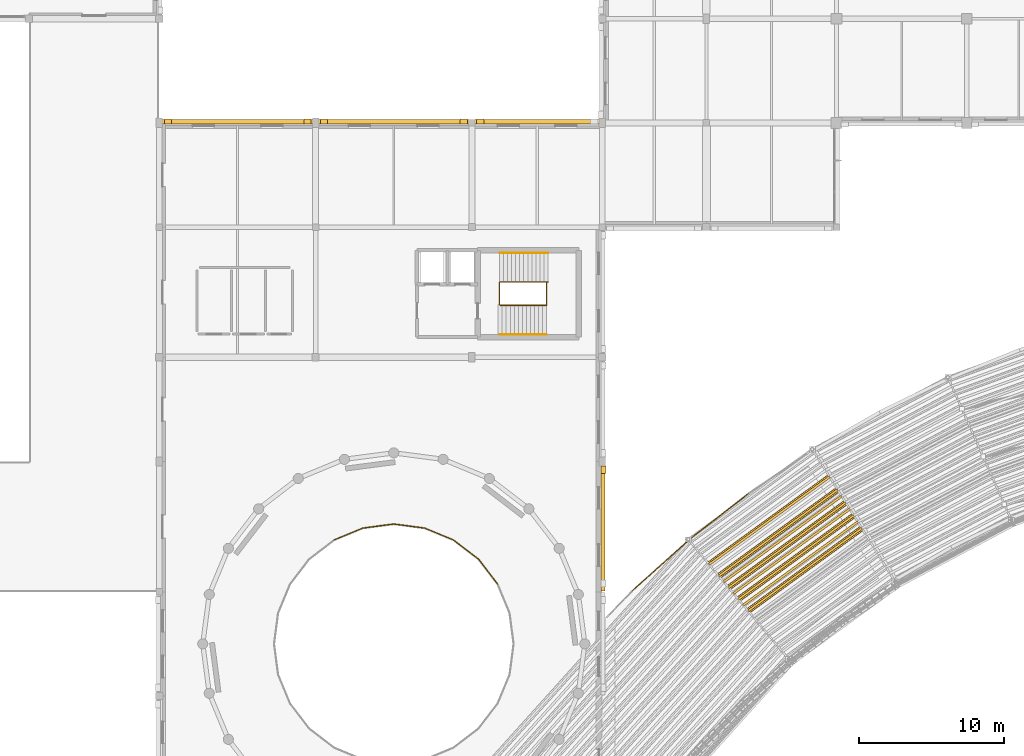
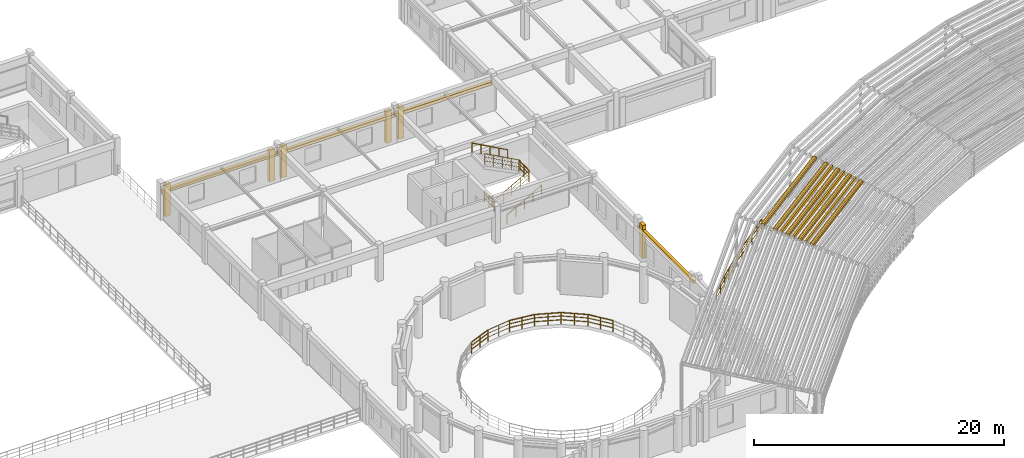
# One storey, part 69 of 74: 15 coverings, 14 railings, 13 shading devices.
"""IFC4 building model written with IfcOpenShell, lengths in metres."""

import ifcopenshell
import ifcopenshell.guid

model = None  # the IFC model being written
_history = None  # IfcOwnerHistory: only IFC2X3 demands one
_inside = {}  # id of a spatial element -> (the spatial element, [elements in it])
_under = {}  # id of a project, library or spatial element -> (it, [spatial elements below it])
_declared = {}  # id of a project -> (the project, [libraries it declares])
_typed = {}  # id of a type object -> (the type object, [elements of that type])
_made_of = {}  # id of a material, layer set ... -> (it, [elements and type objects made of it])


def new_model(schema):
    """Start an empty IFC model of exactly this schema.

    Asked for "IFC4X3", IfcOpenShell would pick the latest addendum, in which some entities
    have other attributes; the version numbers below select the first issue.
    IFC2X3 requires an IfcOwnerHistory on every rooted entity: one is made here for all.
    """
    global model, _history
    if schema == "IFC4X3":
        model = ifcopenshell.file(schema_version=(4, 3, 0, 0))
    else:
        model = ifcopenshell.file(schema=schema)
    _inside.clear()
    _under.clear()
    _declared.clear()
    _typed.clear()
    _made_of.clear()
    _history = None
    if model.schema == "IFC2X3":
        org = make("IfcOrganization", Name="unknown")
        user = make(
            "IfcPersonAndOrganization",
            ThePerson=make("IfcPerson", FamilyName="unknown"),
            TheOrganization=org,
        )
        app = make(
            "IfcApplication",
            ApplicationDeveloper=org,
            Version="unknown",
            ApplicationFullName="unknown",
            ApplicationIdentifier="unknown",
        )
        _history = make(
            "IfcOwnerHistory",
            OwningUser=user,
            OwningApplication=app,
            ChangeAction="ADDED",
            CreationDate=0,
        )
    return model


def make(cls, **values):
    """One entity of the class cls with the attributes given. An attribute that is None is left unset."""
    return model.create_entity(
        cls, **{name: value for name, value in values.items() if value is not None}
    )


def rooted(cls, **values):
    """An entity with a GlobalId (a new one), such as an element, a storey or a relation."""
    return make(cls, GlobalId=ifcopenshell.guid.new(), OwnerHistory=_history, **values)


def si_unit(unit_type, name, prefix=None):
    """IfcSIUnit, for example si_unit("LENGTHUNIT", "METRE", prefix="MILLI")."""
    return make("IfcSIUnit", UnitType=unit_type, Prefix=prefix, Name=name)


def assignment(units):
    """IfcUnitAssignment: the units of a project."""
    return None if units is None else make("IfcUnitAssignment", Units=units)


def point(xyz):
    """IfcCartesianPoint."""
    return None if xyz is None else make("IfcCartesianPoint", Coordinates=xyz)


def direction(xyz):
    """IfcDirection."""
    return None if xyz is None else make("IfcDirection", DirectionRatios=xyz)


def frame(location, z_axis=None, x_axis=None):
    """IfcAxis2Placement3D, a coordinate frame: its origin and axes. An axis left out is left unset."""
    return make(
        "IfcAxis2Placement3D",
        Location=point(location),
        Axis=direction(z_axis),
        RefDirection=direction(x_axis),
    )


def frame_2d(location, x_axis=None):
    """IfcAxis2Placement2D, a coordinate frame in the plane: its origin and x axis."""
    return make(
        "IfcAxis2Placement2D", Location=point(location), RefDirection=direction(x_axis)
    )


def origin():
    """The frame at (0, 0, 0) with its axes left unset."""
    return frame((0.0, 0.0, 0.0))


def origin_2d():
    """The frame at (0, 0) in the plane with its x axis left unset."""
    return frame_2d((0.0, 0.0))


def place(relative_to, where):
    """IfcLocalPlacement: puts the frame where relative to a parent placement (None: the world)."""
    return make(
        "IfcLocalPlacement", PlacementRelTo=relative_to, RelativePlacement=where
    )


def context(
    kind, dimensions, precision=None, world=None, true_north=None, identifier=None
):
    """IfcGeometricRepresentationContext, for example the 3D "Model" context."""
    return make(
        "IfcGeometricRepresentationContext",
        ContextIdentifier=identifier,
        ContextType=kind,
        CoordinateSpaceDimension=dimensions,
        Precision=precision,
        WorldCoordinateSystem=world,
        TrueNorth=true_north,
    )


def subcontext(parent, identifier, kind, view, scale=None):
    """IfcGeometricRepresentationSubContext, for example "Body" below "Model"."""
    return make(
        "IfcGeometricRepresentationSubContext",
        ContextIdentifier=identifier,
        ContextType=kind,
        ParentContext=parent,
        TargetScale=scale,
        TargetView=view,
    )


def project(units=None, contexts=None):
    """IfcProject with its units and contexts."""
    return rooted(
        "IfcProject",
        Name="project",
        RepresentationContexts=contexts,
        UnitsInContext=assignment(units),
    )


def spatial(cls, under=None, at=None, **own):
    """A site, building, storey or space (cls), placed at a placement, below another one or the project."""
    s = rooted(cls, ObjectPlacement=at, **own)
    if under is not None:
        _under.setdefault(under.id(), (under, []))[1].append(s)
    return s


def profile(cls, at=None, kind="AREA", **sizes):
    """A parametric profile (cls). Its sizes go by their IFC names, for example OverallWidth=200.0."""
    return make(cls, ProfileType=kind, Position=at, **sizes)


def rectangle(**sizes):
    """IfcRectangleProfileDef."""
    return profile("IfcRectangleProfileDef", **sizes)


def circle(**sizes):
    """IfcCircleProfileDef."""
    return profile("IfcCircleProfileDef", **sizes)


def extrude(swept, where, along, depth):
    """IfcExtrudedAreaSolid: the profile swept, set in the frame where, extruded along a direction by depth."""
    return make(
        "IfcExtrudedAreaSolid",
        SweptArea=swept,
        Position=where,
        ExtrudedDirection=direction(along),
        Depth=depth,
    )


def shape(context_of_items, identifier, shape_type, items):
    """IfcShapeRepresentation: the items that make up one representation, for example the "Body"."""
    return make(
        "IfcShapeRepresentation",
        ContextOfItems=context_of_items,
        RepresentationIdentifier=identifier,
        RepresentationType=shape_type,
        Items=items,
    )


def material(Name=None, Category=None):
    """IfcMaterial."""
    return make("IfcMaterial", Name=Name, Category=Category)


def layer(
    of_material, thickness, ventilated=None, Name=None, Category=None, Priority=None
):
    """IfcMaterialLayer: one layer of a wall or slab, of a material (None: an air gap)."""
    return make(
        "IfcMaterialLayer",
        Material=of_material,
        LayerThickness=thickness,
        IsVentilated=ventilated,
        Name=Name,
        Category=Category,
        Priority=Priority,
    )


def layer_set(layers, Name=None):
    """IfcMaterialLayerSet."""
    return make("IfcMaterialLayerSet", MaterialLayers=layers, LayerSetName=Name)


def made_of(thing, what):
    """Note that an element or type object is made of a material, layer set ...; save() writes the relation."""
    if what is not None:
        _made_of.setdefault(what.id(), (what, []))[1].append(thing)
    return thing


def type_object(cls, material=None, **own):
    """A type object (cls), such as IfcWallType, which elements share."""
    return made_of(rooted(cls, **own), material)


def element(
    cls,
    number,
    at=None,
    inside=None,
    cuts=None,
    type_object=None,
    material=None,
    context=None,
    identifier="Body",
    shape_type=None,
    held_by="IfcProductDefinitionShape",
    body=None,
    shapes=None,
    **own,
):
    """One element of the class cls, such as IfcWall. Its Tag is "e" and its number.

    at: its placement. inside: the storey or other place that contains it. cuts: it is an
    opening in that element (IfcRelVoidsElement). A single representation is given by context,
    identifier, shape_type and body (its items); several are given by shapes. held_by: the class
    of the entity that holds the representations. save() writes the other relations.
    """
    e = rooted(cls, Tag="e%d" % number, ObjectPlacement=at, **own)
    if body is not None:
        shapes = [shape(context, identifier, shape_type, body)]
    if shapes is not None:
        e.Representation = make(held_by, Representations=shapes)
    if inside is not None:
        _inside.setdefault(inside.id(), (inside, []))[1].append(e)
    if cuts is not None:
        rooted(
            "IfcRelVoidsElement", RelatingBuildingElement=cuts, RelatedOpeningElement=e
        )
    if type_object is not None:
        _typed.setdefault(type_object.id(), (type_object, []))[1].append(e)
    return made_of(e, material)


def aggregate(whole, parts):
    """IfcRelAggregates: a whole, such as a stair, and the parts it consists of."""
    return rooted("IfcRelAggregates", RelatingObject=whole, RelatedObjects=parts)


def save(model, path):
    """Write the relations noted so far, then the file.

    IfcRelAggregates (storeys below a building ...), IfcRelContainedInSpatialStructure (elements
    in a storey), IfcRelDefinesByType, IfcRelAssociatesMaterial and IfcRelDeclares: one each for
    every whole, place, type object, material and project.
    """
    for whole, parts in _under.values():
        aggregate(whole, parts)
    for where, things in _inside.values():
        rooted(
            "IfcRelContainedInSpatialStructure",
            RelatedElements=things,
            RelatingStructure=where,
        )
    for kind, things in _typed.values():
        rooted("IfcRelDefinesByType", RelatedObjects=things, RelatingType=kind)
    for what, things in _made_of.values():
        rooted("IfcRelAssociatesMaterial", RelatedObjects=things, RelatingMaterial=what)
    for by, libraries in _declared.values():
        rooted("IfcRelDeclares", RelatingContext=by, RelatedDefinitions=libraries)
    model.write(path)


model = new_model("IFC4")

# Units and contexts
model_context = context("Model", 3, precision=1e-05, world=origin(), true_north=direction((0.0, 1.0)))
body_context = subcontext(model_context, "Body", "Model", "MODEL_VIEW")
ifc_project = project(units=[si_unit("LENGTHUNIT", "METRE"), si_unit("AREAUNIT", "SQUARE_METRE"), si_unit("VOLUMEUNIT", "CUBIC_METRE"), si_unit("PLANEANGLEUNIT", "RADIAN"), si_unit("MASSUNIT", "GRAM", prefix="KILO")], contexts=[model_context])

# Site, building, storey
site_placement = place(None, origin())
site = spatial("IfcSite", under=ifc_project, at=site_placement, CompositionType="ELEMENT")
building_placement = place(site_placement, origin())
building = spatial("IfcBuilding", under=site, at=building_placement, Name="Clarverna Civic Hall", CompositionType="ELEMENT")
storey_placement = place(building_placement, frame((0.0, 0.0, 13.199951171875)))
storey = spatial("IfcBuildingStorey", under=building, at=storey_placement, Name="L03", CompositionType="ELEMENT", Elevation=13.199951171875)

# Coverings
ifc_material_1 = material(Name="Thermally Modified Teak Wood Slat Fascia Cladding", Category="wood")
ifc_layer_1 = layer(ifc_material_1, 0.080078125)
ifc_layer_set_1 = layer_set([ifc_layer_1], Name="Thermally Modified Teak Wood Slat Fascia Cladding")
covering_type_1 = type_object("IfcCoveringType", Name="CV-CL1", PredefinedType="CLADDING", material=ifc_layer_set_1)
covering_1_placement = place(storey_placement, frame((115.14404296875, 66.981689453125, 3.449951171875), z_axis=(0.0, 0.0, 1.0), x_axis=(-0.809011273949, -0.587793125703, 0.0)))
element("IfcCovering", 1, at=covering_1_placement, inside=storey, type_object=covering_type_1, Name="CV-CL1-222", PredefinedType="CLADDING", context=body_context, shape_type="SweptSolid", body=[
    extrude(rectangle(XDim=9.703125, YDim=0.340087890625, at=frame_2d((4.8515625, 0.0))), origin(), (0.0, 0.0, 1.0), 0.22021484375),
])
covering_2_placement = place(storey_placement, frame((114.587646484375, 67.872314453125, 3.68505859375), z_axis=(0.0, 0.0, 1.0), x_axis=(-0.809012533904, -0.587791391556, 0.0)))
element("IfcCovering", 2, at=covering_2_placement, inside=storey, type_object=covering_type_1, Name="CV-CL1-227", PredefinedType="CLADDING", context=body_context, shape_type="SweptSolid", body=[
    extrude(rectangle(XDim=9.849609375, YDim=0.340087890625, at=frame_2d((4.9248046875, 0.0))), origin(), (0.0, 0.0, 1.0), 0.219970703125),
])
covering_3_placement = place(storey_placement, frame((114.03125, 68.7626953125, 3.920166015625), z_axis=(0.0, 0.0, 1.0), x_axis=(-0.809016932792, -0.587785337054, 0.0)))
element("IfcCovering", 3, at=covering_3_placement, inside=storey, type_object=covering_type_1, Name="CV-CL1-232", PredefinedType="CLADDING", context=body_context, shape_type="SweptSolid", body=[
    extrude(rectangle(XDim=9.99609375, YDim=0.340087890625, at=frame_2d((4.998046875, 0.0))), origin(), (0.0, 0.0, 1.0), 0.219970703125),
])
covering_4_placement = place(storey_placement, frame((113.474853515625, 69.653076171875, 4.155029296875), z_axis=(0.0, 0.0, 1.0), x_axis=(-0.80901807452, -0.587783765597, 0.0)))
element("IfcCovering", 4, at=covering_4_placement, inside=storey, type_object=covering_type_1, Name="CV-CL1-237", PredefinedType="CLADDING", context=body_context, shape_type="SweptSolid", body=[
    extrude(rectangle(XDim=10.142578125, YDim=0.340087890625, at=frame_2d((5.0712890625, 0.0))), origin(), (0.0, 0.0, 1.0), 0.219970703125),
])
covering_5_placement = place(storey_placement, frame((112.91845703125, 70.54345703125, 4.39013671875), z_axis=(0.0, 0.0, 1.0), x_axis=(-0.80902226932, -0.587777991885, 0.0)))
element("IfcCovering", 5, at=covering_5_placement, inside=storey, type_object=covering_type_1, Name="CV-CL1-242", PredefinedType="CLADDING", context=body_context, shape_type="SweptSolid", body=[
    extrude(rectangle(XDim=10.288818359375, YDim=0.340087890625, at=frame_2d((5.14453125, 0.0))), origin(), (0.0, 0.0, 1.0), 0.219970703125),
])
ifc_material_2 = material(Name="Montjuic Buff Limestone Ashlar Cladding", Category="masonry")
ifc_layer_2 = layer(ifc_material_2, 0.070068359375)
ifc_layer_set_2 = layer_set([ifc_layer_2], Name="Montjuic Buff Limestone Ashlar Cladding")
covering_type_2 = type_object("IfcCoveringType", Name="CV-CL2", PredefinedType="CLADDING", material=ifc_layer_set_2)
covering_6_placement = place(storey_placement, frame((97.2548828125, 71.5400390625, 2.4599609375), z_axis=(0.0, 0.0, 1.0), x_axis=(0.0, -1.0, 0.0)))
element("IfcCovering", 6, at=covering_6_placement, inside=storey, type_object=covering_type_2, Name="CV-CL2-599", PredefinedType="CLADDING", context=body_context, shape_type="SweptSolid", body=[
    extrude(rectangle(XDim=8.880126953125, YDim=0.280029296875, at=frame_2d((4.43994140625, 0.0))), origin(), (0.0, 0.0, 1.0), 0.300048828125),
])
covering_7_placement = place(storey_placement, frame((97.284912109375, 71.280029296875, 0.0), z_axis=(0.0, 0.0, 1.0), x_axis=(0.0, -1.0, 0.0)))
element("IfcCovering", 7, at=covering_7_placement, inside=storey, type_object=covering_type_2, Name="CV-CL2-600", PredefinedType="CLADDING", context=body_context, shape_type="SweptSolid", body=[
    extrude(rectangle(XDim=0.5, YDim=0.340087890625, at=frame_2d((0.25, 0.0))), origin(), (0.0, 0.0, 1.0), 3.219970703125),
])
covering_8_placement = place(storey_placement, frame((66.68505859375, 95.080078125, 2.340087890625), z_axis=(0.0, 0.0, 1.0), x_axis=(1.0, 0.0, 0.0)))
element("IfcCovering", 8, at=covering_8_placement, inside=storey, type_object=covering_type_2, Name="CV-CL2-620", PredefinedType="CLADDING", context=body_context, shape_type="SweptSolid", body=[
    extrude(rectangle(XDim=10.655029296875, YDim=0.280029296875, at=frame_2d((5.32763671875, 0.0))), origin(), (0.0, 0.0, 1.0), 0.300048828125),
])
for number, where, z_axis, x_axis, name in (
    (9, (66.945068359375, 95.110107421875, 0.0), (0.0, 0.0, 1.0), (1.0, 0.0, 0.0), "CV-CL2-621"),
    (10, (76.580078125, 95.110107421875, 0.0), (0.0, 0.0, 1.0), (1.0, 0.0, 0.0), "CV-CL2-622"),
):
    element("IfcCovering", number, at=place(storey_placement, frame(where, z_axis=z_axis, x_axis=x_axis)), inside=storey, type_object=covering_type_2, Name=name, PredefinedType="CLADDING", context=body_context, shape_type="SweptSolid", body=[
        extrude(rectangle(XDim=0.5, YDim=0.340087890625, at=frame_2d((0.25, 0.0))), origin(), (0.0, 0.0, 1.0), 3.10009765625),
    ])
covering_9_placement = place(storey_placement, frame((77.4599609375, 95.080078125, 2.340087890625), z_axis=(0.0, 0.0, 1.0), x_axis=(1.0, 0.0, 0.0)))
element("IfcCovering", 11, at=covering_9_placement, inside=storey, type_object=covering_type_2, Name="CV-CL2-623", PredefinedType="CLADDING", context=body_context, shape_type="SweptSolid", body=[
    extrude(rectangle(XDim=10.679931640625, YDim=0.280029296875, at=frame_2d((5.33984375, 0.0))), origin(), (0.0, 0.0, 1.0), 0.300048828125),
])
for number, where, z_axis, x_axis, name in (
    (12, (77.719970703125, 95.110107421875, 0.0), (0.0, 0.0, 1.0), (1.0, 0.0, 0.0), "CV-CL2-624"),
    (13, (87.3798828125, 95.110107421875, 0.0), (0.0, 0.0, 1.0), (1.0, 0.0, 0.0), "CV-CL2-625"),
):
    element("IfcCovering", number, at=place(storey_placement, frame(where, z_axis=z_axis, x_axis=x_axis)), inside=storey, type_object=covering_type_2, Name=name, PredefinedType="CLADDING", context=body_context, shape_type="SweptSolid", body=[
        extrude(rectangle(XDim=0.5, YDim=0.340087890625, at=frame_2d((0.25, 0.0))), origin(), (0.0, 0.0, 1.0), 3.10009765625),
    ])
covering_10_placement = place(storey_placement, frame((88.260009765625, 95.080078125, 2.320068359375), z_axis=(0.0, 0.0, 1.0), x_axis=(1.0, 0.0, 0.0)))
element("IfcCovering", 14, at=covering_10_placement, inside=storey, type_object=covering_type_2, Name="CV-CL2-626", PredefinedType="CLADDING", context=body_context, shape_type="SweptSolid", body=[
    extrude(rectangle(XDim=8.905029296875, YDim=0.280029296875, at=frame_2d((4.45263671875, 0.0))), origin(), (0.0, 0.0, 1.0), 0.300048828125),
])
covering_11_placement = place(storey_placement, frame((88.52001953125, 95.110107421875, 0.0), z_axis=(0.0, 0.0, 1.0), x_axis=(1.0, 0.0, 0.0)))
element("IfcCovering", 15, at=covering_11_placement, inside=storey, type_object=covering_type_2, Name="CV-CL2-627", PredefinedType="CLADDING", context=body_context, shape_type="SweptSolid", body=[
    extrude(rectangle(XDim=0.5, YDim=0.340087890625, at=frame_2d((0.25, 0.0))), origin(), (0.0, 0.0, 1.0), 3.080078125),
])

# Railings
ifc_material_3 = material(Name="Anodised Bronze Architectural Balustrade")
railing_type_1 = type_object("IfcRailingType", Name="GR-01", PredefinedType="BALUSTRADE", material=ifc_material_3)
railing_1_placement = place(storey_placement, frame((99.24609375, 62.625244140625, 0.0)))
element("IfcRailing", 16, at=railing_1_placement, inside=storey, type_object=railing_type_1, Name="GR-01-026", PredefinedType="BALUSTRADE", context=body_context, shape_type="SweptSolid", body=[
    extrude(circle(Radius=0.02392578125, at=origin_2d()), frame((0.0, 0.0, 1.09619140625), z_axis=(0.74314079995, 0.669135077133, 0.0), x_axis=(-0.669135077133, 0.74314079995, 0.0)), (0.0, 0.0, 1.0), 5.3046875),
    extrude(circle(Radius=0.011962890625, at=origin_2d()), frame((0.0, 0.0, 0.39208984375), z_axis=(0.74314079995, 0.669135077133, 0.0), x_axis=(-0.669135077133, 0.74314079995, 0.0)), (0.0, 0.0, 1.0), 5.3046875),
    extrude(circle(Radius=0.011962890625, at=origin_2d()), frame((0.0, 0.0, 0.76171875), z_axis=(0.74314079995, 0.669135077133, 0.0), x_axis=(-0.669135077133, 0.74314079995, 0.0)), (0.0, 0.0, 1.0), 5.3046875),
    extrude(circle(Radius=0.02099609375, at=origin_2d()), origin(), (0.0, 0.0, 1.0), 1.072021484375),
    extrude(circle(Radius=0.02099609375, at=origin_2d()), frame((0.788330078125, 0.7099609375, 0.0)), (0.0, 0.0, 1.0), 1.072021484375),
    extrude(circle(Radius=0.02099609375, at=origin_2d()), frame((1.576904296875, 1.419921875, 0.0)), (0.0, 0.0, 1.0), 1.072021484375),
    extrude(circle(Radius=0.02099609375, at=origin_2d()), frame((2.365234375, 2.129638671875, 0.0)), (0.0, 0.0, 1.0), 1.072021484375),
    extrude(circle(Radius=0.02099609375, at=origin_2d()), frame((3.15380859375, 2.839599609375, 0.0)), (0.0, 0.0, 1.0), 1.072021484375),
    extrude(circle(Radius=0.02099609375, at=origin_2d()), frame((3.942138671875, 3.549560546875, 0.0)), (0.0, 0.0, 1.0), 1.072021484375),
])
railing_2_placement = place(storey_placement, frame((103.18505859375, 66.172119140625, 0.0)))
element("IfcRailing", 17, at=railing_2_placement, inside=storey, type_object=railing_type_1, Name="GR-01-027", PredefinedType="BALUSTRADE", context=body_context, shape_type="SweptSolid", body=[
    extrude(circle(Radius=0.02392578125, at=origin_2d()), frame((0.0, 0.0, 1.09619140625), z_axis=(0.788014605142, 0.615656545554, 0.0), x_axis=(-0.615656545554, 0.788014605142, 0.0)), (0.0, 0.0, 1.0), 5.3046875),
    extrude(circle(Radius=0.011962890625, at=origin_2d()), frame((0.0, 0.0, 0.39208984375), z_axis=(0.788014605142, 0.615656545554, 0.0), x_axis=(-0.615656545554, 0.788014605142, 0.0)), (0.0, 0.0, 1.0), 5.3046875),
    extrude(circle(Radius=0.011962890625, at=origin_2d()), frame((0.0, 0.0, 0.76171875), z_axis=(0.788014605142, 0.615656545554, 0.0), x_axis=(-0.615656545554, 0.788014605142, 0.0)), (0.0, 0.0, 1.0), 5.3046875),
    extrude(circle(Radius=0.02099609375, at=origin_2d()), origin(), (0.0, 0.0, 1.0), 1.072021484375),
    extrude(circle(Radius=0.02099609375, at=origin_2d()), frame((0.8359375, 0.653076171875, 0.0)), (0.0, 0.0, 1.0), 1.072021484375),
    extrude(circle(Radius=0.02099609375, at=origin_2d()), frame((1.672119140625, 1.306396484375, 0.0)), (0.0, 0.0, 1.0), 1.072021484375),
    extrude(circle(Radius=0.02099609375, at=origin_2d()), frame((2.508056640625, 1.95947265625, 0.0)), (0.0, 0.0, 1.0), 1.072021484375),
    extrude(circle(Radius=0.02099609375, at=origin_2d()), frame((3.34423828125, 2.61279296875, 0.0)), (0.0, 0.0, 1.0), 1.072021484375),
    extrude(circle(Radius=0.02099609375, at=origin_2d()), frame((4.18017578125, 3.265869140625, 0.0)), (0.0, 0.0, 1.0), 1.072021484375),
])
railing_type_2 = type_object("IfcRailingType", Name="GR-02", PredefinedType="BALUSTRADE", material=ifc_material_3)
railing_3_placement = place(storey_placement, frame((90.14990234375, 82.39990234375, 0.0)))
element("IfcRailing", 18, at=railing_3_placement, inside=storey, type_object=railing_type_2, Name="GR-02-083", PredefinedType="BALUSTRADE", context=body_context, shape_type="SweptSolid", body=[
    extrude(circle(Radius=0.02392578125, at=origin_2d()), frame((0.0, 0.0, 1.09619140625), z_axis=(0.871901705862, 0.0, 0.489680932154), x_axis=(0.0, 1.0, 0.0)), (0.0, 0.0, 1.0), 3.676025390625),
    extrude(circle(Radius=0.011962890625, at=origin_2d()), frame((0.0, 0.0, 0.39208984375), z_axis=(0.871901705862, 0.0, 0.489680932154), x_axis=(0.0, 1.0, 0.0)), (0.0, 0.0, 1.0), 3.676025390625),
    extrude(circle(Radius=0.011962890625, at=origin_2d()), frame((0.0, 0.0, 0.76171875), z_axis=(0.871901705862, 0.0, 0.489680932154), x_axis=(0.0, 1.0, 0.0)), (0.0, 0.0, 1.0), 3.676025390625),
    extrude(circle(Radius=0.02099609375, at=origin_2d()), origin(), (0.0, 0.0, 1.0), 1.072021484375),
    extrude(circle(Radius=0.02099609375, at=origin_2d()), frame((0.80126953125, 0.0, 0.449951171875)), (0.0, 0.0, 1.0), 1.072021484375),
    extrude(circle(Radius=0.02099609375, at=origin_2d()), frame((1.6025390625, 0.0, 0.89990234375)), (0.0, 0.0, 1.0), 1.072021484375),
    extrude(circle(Radius=0.02099609375, at=origin_2d()), frame((2.40380859375, 0.0, 1.35009765625)), (0.0, 0.0, 1.0), 1.072021484375),
    extrude(circle(Radius=0.02099609375, at=origin_2d()), frame((3.205078125, 0.0, 1.800048828125)), (0.0, 0.0, 1.0), 1.072021484375),
])
railing_4_placement = place(storey_placement, frame((93.35498046875, 82.39990234375, 1.800048828125)))
element("IfcRailing", 19, at=railing_4_placement, inside=storey, type_object=railing_type_2, Name="GR-02-084", PredefinedType="BALUSTRADE", context=body_context, shape_type="SweptSolid", body=[
    extrude(circle(Radius=0.02392578125, at=origin_2d()), frame((0.0, 0.0, 1.09619140625), z_axis=(0.0, 1.0, 0.0), x_axis=(-1.0, 0.0, 0.0)), (0.0, 0.0, 1.0), 1.60009765625),
    extrude(circle(Radius=0.011962890625, at=origin_2d()), frame((0.0, 0.0, 0.39208984375), z_axis=(0.0, 1.0, 0.0), x_axis=(-1.0, 0.0, 0.0)), (0.0, 0.0, 1.0), 1.60009765625),
    extrude(circle(Radius=0.011962890625, at=origin_2d()), frame((0.0, 0.0, 0.76171875), z_axis=(0.0, 1.0, 0.0), x_axis=(-1.0, 0.0, 0.0)), (0.0, 0.0, 1.0), 1.60009765625),
    extrude(circle(Radius=0.02099609375, at=origin_2d()), origin(), (0.0, 0.0, 1.0), 1.072021484375),
    extrude(circle(Radius=0.02099609375, at=origin_2d()), frame((0.0, 0.800048828125, 0.0)), (0.0, 0.0, 1.0), 1.072021484375),
    extrude(circle(Radius=0.02099609375, at=origin_2d()), frame((0.0, 1.60009765625, 0.0)), (0.0, 0.0, 1.0), 1.072021484375),
])
railing_5_placement = place(storey_placement, frame((93.445068359375, 84.0, 1.800048828125)))
element("IfcRailing", 20, at=railing_5_placement, inside=storey, type_object=railing_type_2, Name="GR-02-085", PredefinedType="BALUSTRADE", context=body_context, shape_type="SweptSolid", body=[
    extrude(circle(Radius=0.02392578125, at=origin_2d()), frame((0.0, 0.0, 1.09619140625), z_axis=(-0.877594727342, 0.0, 0.479403269222), x_axis=(0.0, -1.0, 0.0)), (0.0, 0.0, 1.0), 3.7548828125),
    extrude(circle(Radius=0.011962890625, at=origin_2d()), frame((0.0, 0.0, 0.39208984375), z_axis=(-0.877594727342, 0.0, 0.479403269222), x_axis=(0.0, -1.0, 0.0)), (0.0, 0.0, 1.0), 3.7548828125),
    extrude(circle(Radius=0.011962890625, at=origin_2d()), frame((0.0, 0.0, 0.76171875), z_axis=(-0.877594727342, 0.0, 0.479403269222), x_axis=(0.0, -1.0, 0.0)), (0.0, 0.0, 1.0), 3.7548828125),
    extrude(circle(Radius=0.02099609375, at=origin_2d()), origin(), (0.0, 0.0, 1.0), 1.072021484375),
    extrude(circle(Radius=0.02099609375, at=origin_2d()), frame((-0.82373046875, 0.0, 0.449951171875)), (0.0, 0.0, 1.0), 1.072021484375),
    extrude(circle(Radius=0.02099609375, at=origin_2d()), frame((-1.6474609375, 0.0, 0.89990234375)), (0.0, 0.0, 1.0), 1.072021484375),
    extrude(circle(Radius=0.02099609375, at=origin_2d()), frame((-2.471435546875, 0.0, 1.35009765625)), (0.0, 0.0, 1.0), 1.072021484375),
    extrude(circle(Radius=0.02099609375, at=origin_2d()), frame((-3.295166015625, 0.0, 1.800048828125)), (0.0, 0.0, 1.0), 1.072021484375),
])
railing_6_placement = place(storey_placement, frame((90.110107421875, 82.43994140625, 0.0)))
element("IfcRailing", 21, at=railing_6_placement, inside=storey, type_object=railing_type_2, Name="GR-02-086", PredefinedType="BALUSTRADE", context=body_context, shape_type="SweptSolid", body=[
    extrude(circle(Radius=0.02392578125, at=origin_2d()), frame((0.0, 0.0, 1.09619140625), z_axis=(0.0, 1.0, 0.0), x_axis=(-1.0, 0.0, 0.0)), (0.0, 0.0, 1.0), 1.52001953125),
    extrude(circle(Radius=0.011962890625, at=origin_2d()), frame((0.0, 0.0, 0.39208984375), z_axis=(0.0, 1.0, 0.0), x_axis=(-1.0, 0.0, 0.0)), (0.0, 0.0, 1.0), 1.52001953125),
    extrude(circle(Radius=0.011962890625, at=origin_2d()), frame((0.0, 0.0, 0.76171875), z_axis=(0.0, 1.0, 0.0), x_axis=(-1.0, 0.0, 0.0)), (0.0, 0.0, 1.0), 1.52001953125),
    extrude(circle(Radius=0.02099609375, at=origin_2d()), origin(), (0.0, 0.0, 1.0), 1.072021484375),
    extrude(circle(Radius=0.02099609375, at=origin_2d()), frame((0.0, 0.760009765625, 0.0)), (0.0, 0.0, 1.0), 1.072021484375),
    extrude(circle(Radius=0.02099609375, at=origin_2d()), frame((0.0, 1.52001953125, 0.0)), (0.0, 0.0, 1.0), 1.072021484375),
])
railing_7_placement = place(storey_placement, frame((78.65966796875, 66.17138671875, 0.0)))
element("IfcRailing", 22, at=railing_7_placement, inside=storey, type_object=railing_type_2, Name="GR-02-256", PredefinedType="BALUSTRADE", context=body_context, shape_type="SweptSolid", body=[
    extrude(circle(Radius=0.02392578125, at=origin_2d()), frame((0.0, 0.0, 1.09619140625), z_axis=(0.923890191634, 0.382657697953, 0.0), x_axis=(-0.382657697953, 0.923890191634, 0.0)), (0.0, 0.0, 1.0), 2.16162109375),
    extrude(circle(Radius=0.011962890625, at=origin_2d()), frame((0.0, 0.0, 0.39208984375), z_axis=(0.923890191634, 0.382657697953, 0.0), x_axis=(-0.382657697953, 0.923890191634, 0.0)), (0.0, 0.0, 1.0), 2.16162109375),
    extrude(circle(Radius=0.011962890625, at=origin_2d()), frame((0.0, 0.0, 0.76171875), z_axis=(0.923890191634, 0.382657697953, 0.0), x_axis=(-0.382657697953, 0.923890191634, 0.0)), (0.0, 0.0, 1.0), 2.16162109375),
    extrude(circle(Radius=0.02099609375, at=origin_2d()), origin(), (0.0, 0.0, 1.0), 1.072021484375),
    extrude(circle(Radius=0.02099609375, at=origin_2d()), frame((0.99853515625, 0.41357421875, 0.0)), (0.0, 0.0, 1.0), 1.072021484375),
    extrude(circle(Radius=0.02099609375, at=origin_2d()), frame((1.9970703125, 0.8271484375, 0.0)), (0.0, 0.0, 1.0), 1.072021484375),
])
railing_8_placement = place(storey_placement, frame((80.65673828125, 66.99853515625, 0.0)))
element("IfcRailing", 23, at=railing_8_placement, inside=storey, type_object=railing_type_2, Name="GR-02-257", PredefinedType="BALUSTRADE", context=body_context, shape_type="SweptSolid", body=[
    extrude(circle(Radius=0.02392578125, at=origin_2d()), frame((0.0, 0.0, 1.09619140625), z_axis=(0.991441606038, 0.130550916571, 0.0), x_axis=(-0.130550916571, 0.991441606038, 0.0)), (0.0, 0.0, 1.0), 2.161865234375),
    extrude(circle(Radius=0.011962890625, at=origin_2d()), frame((0.0, 0.0, 0.39208984375), z_axis=(0.991441606038, 0.130550916571, 0.0), x_axis=(-0.130550916571, 0.991441606038, 0.0)), (0.0, 0.0, 1.0), 2.161865234375),
    extrude(circle(Radius=0.011962890625, at=origin_2d()), frame((0.0, 0.0, 0.76171875), z_axis=(0.991441606038, 0.130550916571, 0.0), x_axis=(-0.130550916571, 0.991441606038, 0.0)), (0.0, 0.0, 1.0), 2.161865234375),
    extrude(circle(Radius=0.02099609375, at=origin_2d()), origin(), (0.0, 0.0, 1.0), 1.072021484375),
    extrude(circle(Radius=0.02099609375, at=origin_2d()), frame((1.07177734375, 0.14111328125, 0.0)), (0.0, 0.0, 1.0), 1.072021484375),
    extrude(circle(Radius=0.02099609375, at=origin_2d()), frame((2.143310546875, 0.2822265625, 0.0)), (0.0, 0.0, 1.0), 1.072021484375),
])
railing_9_placement = place(storey_placement, frame((82.800048828125, 67.28076171875, 0.0)))
element("IfcRailing", 24, at=railing_9_placement, inside=storey, type_object=railing_type_2, Name="GR-02-258", PredefinedType="BALUSTRADE", context=body_context, shape_type="SweptSolid", body=[
    extrude(circle(Radius=0.02392578125, at=origin_2d()), frame((0.0, 0.0, 1.09619140625), z_axis=(0.991439680931, -0.130565535561, 0.0), x_axis=(0.130565535561, 0.991439680931, 0.0)), (0.0, 0.0, 1.0), 2.16162109375),
    extrude(circle(Radius=0.011962890625, at=origin_2d()), frame((0.0, 0.0, 0.39208984375), z_axis=(0.991439680931, -0.130565535561, 0.0), x_axis=(0.130565535561, 0.991439680931, 0.0)), (0.0, 0.0, 1.0), 2.16162109375),
    extrude(circle(Radius=0.011962890625, at=origin_2d()), frame((0.0, 0.0, 0.76171875), z_axis=(0.991439680931, -0.130565535561, 0.0), x_axis=(0.130565535561, 0.991439680931, 0.0)), (0.0, 0.0, 1.0), 2.16162109375),
    extrude(circle(Radius=0.02099609375, at=origin_2d()), origin(), (0.0, 0.0, 1.0), 1.072021484375),
    extrude(circle(Radius=0.02099609375, at=origin_2d()), frame((1.071533203125, -0.14111328125, 0.0)), (0.0, 0.0, 1.0), 1.072021484375),
    extrude(circle(Radius=0.02099609375, at=origin_2d()), frame((2.14306640625, -0.2822265625, 0.0)), (0.0, 0.0, 1.0), 1.072021484375),
])
railing_10_placement = place(storey_placement, frame((84.943115234375, 66.99853515625, 0.0)))
element("IfcRailing", 25, at=railing_10_placement, inside=storey, type_object=railing_type_2, Name="GR-02-259", PredefinedType="BALUSTRADE", context=body_context, shape_type="SweptSolid", body=[
    extrude(circle(Radius=0.02392578125, at=origin_2d()), frame((0.0, 0.0, 1.09619140625), z_axis=(0.923890191634, -0.382657697953, 0.0), x_axis=(0.382657697953, 0.923890191634, 0.0)), (0.0, 0.0, 1.0), 2.16162109375),
    extrude(circle(Radius=0.011962890625, at=origin_2d()), frame((0.0, 0.0, 0.39208984375), z_axis=(0.923890191634, -0.382657697953, 0.0), x_axis=(0.382657697953, 0.923890191634, 0.0)), (0.0, 0.0, 1.0), 2.16162109375),
    extrude(circle(Radius=0.011962890625, at=origin_2d()), frame((0.0, 0.0, 0.76171875), z_axis=(0.923890191634, -0.382657697953, 0.0), x_axis=(0.382657697953, 0.923890191634, 0.0)), (0.0, 0.0, 1.0), 2.16162109375),
    extrude(circle(Radius=0.02099609375, at=origin_2d()), origin(), (0.0, 0.0, 1.0), 1.072021484375),
    extrude(circle(Radius=0.02099609375, at=origin_2d()), frame((0.99853515625, -0.41357421875, 0.0)), (0.0, 0.0, 1.0), 1.072021484375),
    extrude(circle(Radius=0.02099609375, at=origin_2d()), frame((1.9970703125, -0.8271484375, 0.0)), (0.0, 0.0, 1.0), 1.072021484375),
])
railing_11_placement = place(storey_placement, frame((86.940185546875, 66.17138671875, 0.0)))
element("IfcRailing", 26, at=railing_11_placement, inside=storey, type_object=railing_type_2, Name="GR-02-260", PredefinedType="BALUSTRADE", context=body_context, shape_type="SweptSolid", body=[
    extrude(circle(Radius=0.02392578125, at=origin_2d()), frame((0.0, 0.0, 1.09619140625), z_axis=(0.793420932323, -0.60867333123, 0.0), x_axis=(0.60867333123, 0.793420932323, 0.0)), (0.0, 0.0, 1.0), 2.161865234375),
    extrude(circle(Radius=0.011962890625, at=origin_2d()), frame((0.0, 0.0, 0.39208984375), z_axis=(0.793420932323, -0.60867333123, 0.0), x_axis=(0.60867333123, 0.793420932323, 0.0)), (0.0, 0.0, 1.0), 2.161865234375),
    extrude(circle(Radius=0.011962890625, at=origin_2d()), frame((0.0, 0.0, 0.76171875), z_axis=(0.793420932323, -0.60867333123, 0.0), x_axis=(0.60867333123, 0.793420932323, 0.0)), (0.0, 0.0, 1.0), 2.161865234375),
    extrude(circle(Radius=0.02099609375, at=origin_2d()), origin(), (0.0, 0.0, 1.0), 1.072021484375),
    extrude(circle(Radius=0.02099609375, at=origin_2d()), frame((0.857666015625, -0.657958984375, 0.0)), (0.0, 0.0, 1.0), 1.072021484375),
    extrude(circle(Radius=0.02099609375, at=origin_2d()), frame((1.71533203125, -1.31591796875, 0.0)), (0.0, 0.0, 1.0), 1.072021484375),
])
railing_12_placement = place(storey_placement, frame((88.655517578125, 64.85546875, 0.0)))
element("IfcRailing", 27, at=railing_12_placement, inside=storey, type_object=railing_type_2, Name="GR-02-261", PredefinedType="BALUSTRADE", context=body_context, shape_type="SweptSolid", body=[
    extrude(circle(Radius=0.02392578125, at=origin_2d()), frame((0.0, 0.0, 1.09619140625), z_axis=(0.608656775429, -0.793433632842, 0.0), x_axis=(0.793433632842, 0.608656775429, 0.0)), (0.0, 0.0, 1.0), 2.16162109375),
    extrude(circle(Radius=0.011962890625, at=origin_2d()), frame((0.0, 0.0, 0.39208984375), z_axis=(0.608656775429, -0.793433632842, 0.0), x_axis=(0.793433632842, 0.608656775429, 0.0)), (0.0, 0.0, 1.0), 2.16162109375),
    extrude(circle(Radius=0.011962890625, at=origin_2d()), frame((0.0, 0.0, 0.76171875), z_axis=(0.608656775429, -0.793433632842, 0.0), x_axis=(0.793433632842, 0.608656775429, 0.0)), (0.0, 0.0, 1.0), 2.16162109375),
    extrude(circle(Radius=0.02099609375, at=origin_2d()), origin(), (0.0, 0.0, 1.0), 1.072021484375),
    extrude(circle(Radius=0.02099609375, at=origin_2d()), frame((0.65771484375, -0.857421875, 0.0)), (0.0, 0.0, 1.0), 1.072021484375),
    extrude(circle(Radius=0.02099609375, at=origin_2d()), frame((1.315673828125, -1.715087890625, 0.0)), (0.0, 0.0, 1.0), 1.072021484375),
])
ifc_material_4 = material(Name="Anodised Bronze Continuous Handrail")
railing_type_3 = type_object("IfcRailingType", Name="HR-01", PredefinedType="HANDRAIL", material=ifc_material_4)
railing_13_placement = place(storey_placement, frame((90.14990234375, 80.3798828125, 0.0)))
element("IfcRailing", 28, at=railing_13_placement, inside=storey, type_object=railing_type_3, Name="HR-01-041", PredefinedType="HANDRAIL", context=body_context, shape_type="SweptSolid", body=[
    extrude(circle(Radius=0.02392578125, at=origin_2d()), frame((0.0, 0.0, 0.89599609375), z_axis=(0.870925075533, 0.0, 0.491415824742), x_axis=(0.0, 1.0, 0.0)), (0.0, 0.0, 1.0), 3.6630859375),
    extrude(circle(Radius=0.02099609375, at=origin_2d()), origin(), (0.0, 0.0, 1.0), 0.871826171875),
    extrude(circle(Radius=0.02099609375, at=origin_2d()), frame((0.797607421875, 0.0, 0.449951171875)), (0.0, 0.0, 1.0), 0.871826171875),
    extrude(circle(Radius=0.02099609375, at=origin_2d()), frame((1.59521484375, 0.0, 0.89990234375)), (0.0, 0.0, 1.0), 0.871826171875),
    extrude(circle(Radius=0.02099609375, at=origin_2d()), frame((2.392578125, 0.0, 1.35009765625)), (0.0, 0.0, 1.0), 0.871826171875),
    extrude(circle(Radius=0.02099609375, at=origin_2d()), frame((3.190185546875, 0.0, 1.800048828125)), (0.0, 0.0, 1.0), 0.871826171875),
])
railing_14_placement = place(storey_placement, frame((93.4599609375, 86.02001953125, 1.800048828125)))
element("IfcRailing", 29, at=railing_14_placement, inside=storey, type_object=railing_type_3, Name="HR-01-042", PredefinedType="HANDRAIL", context=body_context, shape_type="SweptSolid", body=[
    extrude(circle(Radius=0.02392578125, at=origin_2d()), frame((0.0, 0.0, 0.89599609375), z_axis=(-0.878501555178, 0.0, 0.477739487116), x_axis=(0.0, -1.0, 0.0)), (0.0, 0.0, 1.0), 3.767822265625),
    extrude(circle(Radius=0.02099609375, at=origin_2d()), origin(), (0.0, 0.0, 1.0), 0.871826171875),
    extrude(circle(Radius=0.02099609375, at=origin_2d()), frame((-0.82763671875, 0.0, 0.449951171875)), (0.0, 0.0, 1.0), 0.871826171875),
    extrude(circle(Radius=0.02099609375, at=origin_2d()), frame((-1.655029296875, 0.0, 0.89990234375)), (0.0, 0.0, 1.0), 0.871826171875),
    extrude(circle(Radius=0.02099609375, at=origin_2d()), frame((-2.482421875, 0.0, 1.35009765625)), (0.0, 0.0, 1.0), 0.871826171875),
    extrude(circle(Radius=0.02099609375, at=origin_2d()), frame((-3.31005859375, 0.0, 1.800048828125)), (0.0, 0.0, 1.0), 0.871826171875),
])

# Shading devices
ifc_material_5 = material(Name="Thermally Modified Teak Wood Slats", Category="wood")
ifc_layer_3 = layer(ifc_material_5, 0.06494140625)
ifc_layer_set_3 = layer_set([ifc_layer_3], Name="Thermally Modified Teak Wood Slats")
shading_device_type = type_object("IfcShadingDeviceType", Name="SD-WD1", PredefinedType="JALOUSIE", material=ifc_layer_set_3)
shading_device_1_placement = place(storey_placement, frame((115.14404296875, 66.981689453125, 3.429931640625), z_axis=(0.0, 0.0, 1.0), x_axis=(-0.809011273949, -0.587793125703, 0.0)))
element("IfcShadingDevice", 30, at=shading_device_1_placement, inside=storey, type_object=shading_device_type, Name="SD-WD1-369", PredefinedType="JALOUSIE", context=body_context, shape_type="SweptSolid", body=[
    extrude(rectangle(XDim=9.703125, YDim=0.159912109375, at=frame_2d((4.8515625, 0.0))), origin(), (0.0, 0.0, 1.0), 0.280029296875),
])
shading_device_2_placement = place(storey_placement, frame((115.14404296875, 66.981689453125, 3.469970703125), z_axis=(0.0, 0.0, 1.0), x_axis=(-0.809011273949, -0.587793125703, 0.0)))
element("IfcShadingDevice", 31, at=shading_device_2_placement, inside=storey, type_object=shading_device_type, Name="SD-WD1-370", PredefinedType="JALOUSIE", context=body_context, shape_type="SweptSolid", body=[
    extrude(rectangle(XDim=9.703125, YDim=0.3798828125, at=frame_2d((4.8515625, 0.0))), origin(), (0.0, 0.0, 1.0), 0.18017578125),
])
shading_device_3_placement = place(storey_placement, frame((114.865966796875, 67.427001953125, 3.547607421875), z_axis=(0.0, 0.0, 1.0), x_axis=(-0.809017846273, -0.587784079754, 0.0)))
element("IfcShadingDevice", 32, at=shading_device_3_placement, inside=storey, type_object=shading_device_type, Name="SD-WD1-376", PredefinedType="JALOUSIE", context=body_context, shape_type="SweptSolid", body=[
    extrude(rectangle(XDim=9.7763671875, YDim=0.159912109375, at=frame_2d((4.88818359375, 0.0))), origin(), (0.0, 0.0, 1.0), 0.280029296875),
])
shading_device_4_placement = place(storey_placement, frame((114.587646484375, 67.872314453125, 3.6650390625), z_axis=(0.0, 0.0, 1.0), x_axis=(-0.809012533904, -0.587791391556, 0.0)))
element("IfcShadingDevice", 33, at=shading_device_4_placement, inside=storey, type_object=shading_device_type, Name="SD-WD1-384", PredefinedType="JALOUSIE", context=body_context, shape_type="SweptSolid", body=[
    extrude(rectangle(XDim=9.849609375, YDim=0.159912109375, at=frame_2d((4.9248046875, 0.0))), origin(), (0.0, 0.0, 1.0), 0.280029296875),
])
shading_device_5_placement = place(storey_placement, frame((114.587646484375, 67.872314453125, 3.705078125), z_axis=(0.0, 0.0, 1.0), x_axis=(-0.809012533904, -0.587791391556, 0.0)))
element("IfcShadingDevice", 34, at=shading_device_5_placement, inside=storey, type_object=shading_device_type, Name="SD-WD1-385", PredefinedType="JALOUSIE", context=body_context, shape_type="SweptSolid", body=[
    extrude(rectangle(XDim=9.849609375, YDim=0.3798828125, at=frame_2d((4.9248046875, 0.0))), origin(), (0.0, 0.0, 1.0), 0.179931640625),
])
shading_device_6_placement = place(storey_placement, frame((114.3095703125, 68.3173828125, 3.782470703125), z_axis=(0.0, 0.0, 1.0), x_axis=(-0.809018999777, -0.587782492083, 0.0)))
element("IfcShadingDevice", 35, at=shading_device_6_placement, inside=storey, type_object=shading_device_type, Name="SD-WD1-391", PredefinedType="JALOUSIE", context=body_context, shape_type="SweptSolid", body=[
    extrude(rectangle(XDim=9.9228515625, YDim=0.159912109375, at=frame_2d((4.96142578125, 0.0))), origin(), (0.0, 0.0, 1.0), 0.280029296875),
])
shading_device_7_placement = place(storey_placement, frame((114.03125, 68.7626953125, 3.900146484375), z_axis=(0.0, 0.0, 1.0), x_axis=(-0.809016932792, -0.587785337054, 0.0)))
element("IfcShadingDevice", 36, at=shading_device_7_placement, inside=storey, type_object=shading_device_type, Name="SD-WD1-399", PredefinedType="JALOUSIE", context=body_context, shape_type="SweptSolid", body=[
    extrude(rectangle(XDim=9.99609375, YDim=0.159912109375, at=frame_2d((4.998046875, 0.0))), origin(), (0.0, 0.0, 1.0), 0.27978515625),
])
shading_device_8_placement = place(storey_placement, frame((114.03125, 68.7626953125, 3.93994140625), z_axis=(0.0, 0.0, 1.0), x_axis=(-0.809016932792, -0.587785337054, 0.0)))
element("IfcShadingDevice", 37, at=shading_device_8_placement, inside=storey, type_object=shading_device_type, Name="SD-WD1-400", PredefinedType="JALOUSIE", context=body_context, shape_type="SweptSolid", body=[
    extrude(rectangle(XDim=9.99609375, YDim=0.3798828125, at=frame_2d((4.998046875, 0.0))), origin(), (0.0, 0.0, 1.0), 0.18017578125),
])
shading_device_9_placement = place(storey_placement, frame((113.753173828125, 69.2080078125, 4.017578125), z_axis=(0.0, 0.0, 1.0), x_axis=(-0.809020119681, -0.587780950654, 0.0)))
element("IfcShadingDevice", 38, at=shading_device_9_placement, inside=storey, type_object=shading_device_type, Name="SD-WD1-406", PredefinedType="JALOUSIE", context=body_context, shape_type="SweptSolid", body=[
    extrude(rectangle(XDim=10.069580078125, YDim=0.159912109375, at=frame_2d((5.03466796875, 0.0))), origin(), (0.0, 0.0, 1.0), 0.280029296875),
])
shading_device_10_placement = place(storey_placement, frame((113.474853515625, 69.653076171875, 4.135009765625), z_axis=(0.0, 0.0, 1.0), x_axis=(-0.80901807452, -0.587783765597, 0.0)))
element("IfcShadingDevice", 39, at=shading_device_10_placement, inside=storey, type_object=shading_device_type, Name="SD-WD1-414", PredefinedType="JALOUSIE", context=body_context, shape_type="SweptSolid", body=[
    extrude(rectangle(XDim=10.142578125, YDim=0.159912109375, at=frame_2d((5.0712890625, 0.0))), origin(), (0.0, 0.0, 1.0), 0.280029296875),
])
shading_device_11_placement = place(storey_placement, frame((113.474853515625, 69.653076171875, 4.175048828125), z_axis=(0.0, 0.0, 1.0), x_axis=(-0.80901807452, -0.587783765597, 0.0)))
element("IfcShadingDevice", 40, at=shading_device_11_placement, inside=storey, type_object=shading_device_type, Name="SD-WD1-415", PredefinedType="JALOUSIE", context=body_context, shape_type="SweptSolid", body=[
    extrude(rectangle(XDim=10.142578125, YDim=0.3798828125, at=frame_2d((5.0712890625, 0.0))), origin(), (0.0, 0.0, 1.0), 0.179931640625),
])
shading_device_12_placement = place(storey_placement, frame((112.91845703125, 70.54345703125, 4.3701171875), z_axis=(0.0, 0.0, 1.0), x_axis=(-0.80902226932, -0.587777991885, 0.0)))
element("IfcShadingDevice", 41, at=shading_device_12_placement, inside=storey, type_object=shading_device_type, Name="SD-WD1-429", PredefinedType="JALOUSIE", context=body_context, shape_type="SweptSolid", body=[
    extrude(rectangle(XDim=10.288818359375, YDim=0.159912109375, at=frame_2d((5.14453125, 0.0))), origin(), (0.0, 0.0, 1.0), 0.280029296875),
])
shading_device_13_placement = place(storey_placement, frame((112.91845703125, 70.54345703125, 4.41015625), z_axis=(0.0, 0.0, 1.0), x_axis=(-0.80902226932, -0.587777991885, 0.0)))
element("IfcShadingDevice", 42, at=shading_device_13_placement, inside=storey, type_object=shading_device_type, Name="SD-WD1-430", PredefinedType="JALOUSIE", context=body_context, shape_type="SweptSolid", body=[
    extrude(rectangle(XDim=10.288818359375, YDim=0.3798828125, at=frame_2d((5.14453125, 0.0))), origin(), (0.0, 0.0, 1.0), 0.179931640625),
])

save(model, "model.ifc")
